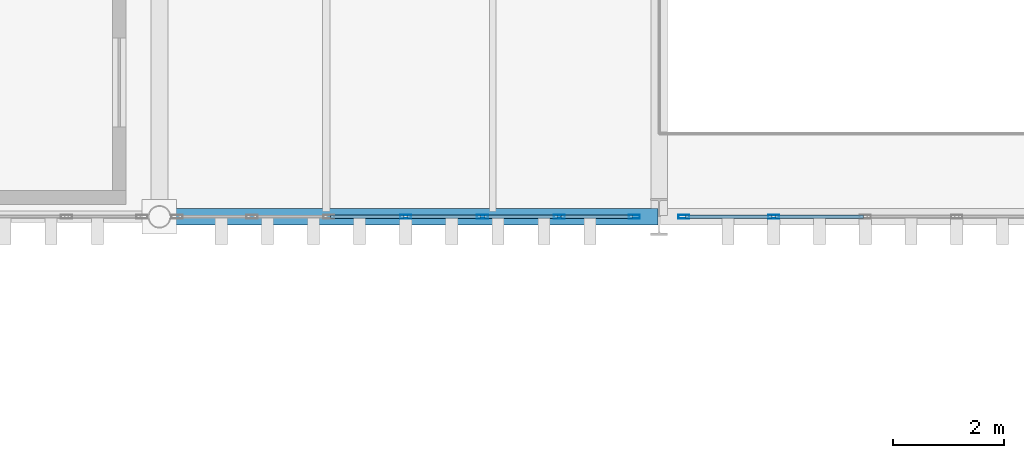
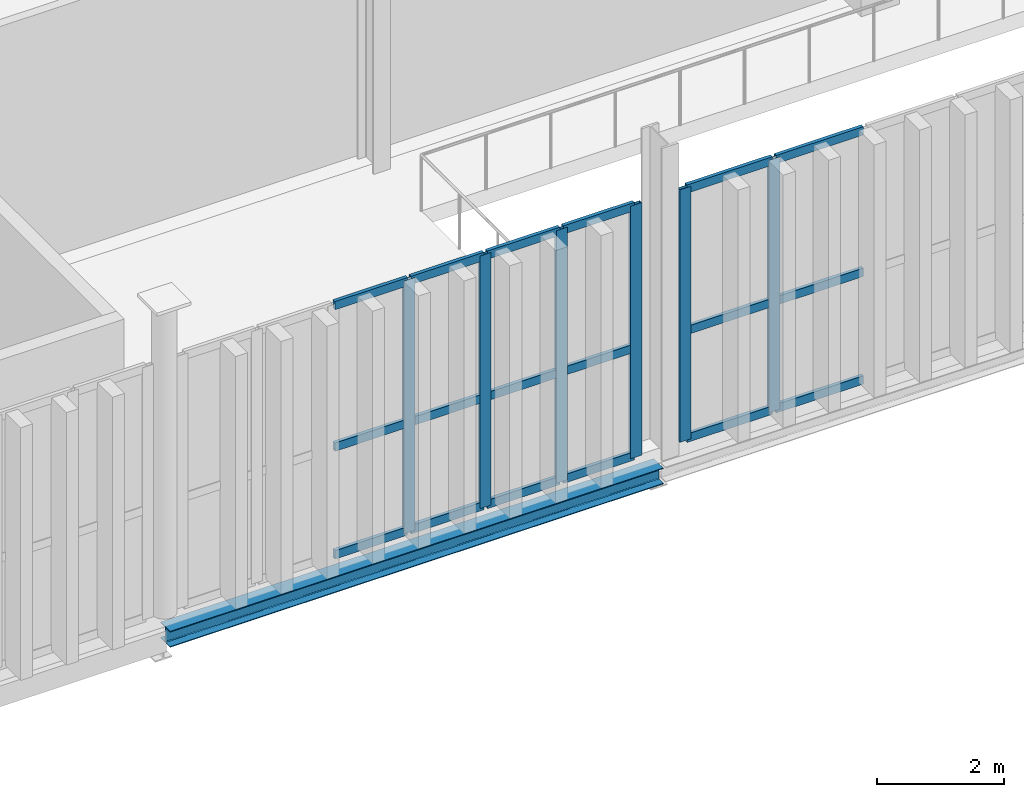
# One storey, part 79 of 237: 24 members, 1 beam, 2 elements without a shape of their own.
"""IFC4 building model written with IfcOpenShell, lengths in metres."""

from ifc_helpers import new_model, si_unit, direction, frame, origin, origin_2d, place, context, subcontext, project, spatial, hollow_rectangle, i_section, extrude, material, layer, layer_set, material_profile, profile_set, type_object, element, aggregate, save


model = new_model("IFC4")

# Units and contexts
model_context = context("Model", 3, precision=1e-05, world=origin(), true_north=direction((0.0, 1.0)))
body_context = subcontext(model_context, "Body", "Model", "MODEL_VIEW")
ifc_project = project(units=[si_unit("LENGTHUNIT", "METRE"), si_unit("AREAUNIT", "SQUARE_METRE"), si_unit("VOLUMEUNIT", "CUBIC_METRE"), si_unit("PLANEANGLEUNIT", "RADIAN"), si_unit("MASSUNIT", "GRAM", prefix="KILO")], contexts=[model_context])

# Site, building, storey
site_placement = place(None, origin())
site = spatial("IfcSite", under=ifc_project, at=site_placement, CompositionType="ELEMENT")
building_placement = place(site_placement, origin())
building = spatial("IfcBuilding", under=site, at=building_placement, Name="Barlavento Convention Centre", CompositionType="ELEMENT")
storey_placement = place(building_placement, frame((0.0, 0.0, 12.0)))
storey = spatial("IfcBuildingStorey", under=building, at=storey_placement, Name="L02", CompositionType="ELEMENT", Elevation=12.0)

# Curtain wall, members
ifc_material_1 = material(Name="Powder-coated aluminium and Low-E glass", Category="aluminium")
ifc_layer = layer(ifc_material_1, 0.195068359375)
ifc_layer_set = layer_set([ifc_layer], Name="ARC-CW-BALL-L02")
curtain_wall_type = type_object("IfcCurtainWallType", Name="ARC-CW-BALL-L02", PredefinedType="NOTDEFINED", material=ifc_layer_set)
curtain_wall_1_placement = place(storey_placement, origin())
curtain_wall_1 = element("IfcCurtainWall", 1, at=curtain_wall_1_placement, inside=storey, type_object=curtain_wall_type, Name="L02 unitised curtain wall CW07", PredefinedType="NOTDEFINED")
ifc_material_2 = material(Name="Powder-coated aluminium", Category="aluminium")
ifc_material_profile_1 = material_profile(ifc_material_2, hollow_rectangle(XDim=0.06494140625, YDim=0.199951171875, WallThickness=0.0048828125, at=origin_2d()), Name="AL-MULL 65x200x5")
ifc_profile_set_1 = profile_set([ifc_material_profile_1], Name="Powder-coated aluminium")
member_type_1 = type_object("IfcMemberType", Name="ARC-CWM-65X200", PredefinedType="MULLION", material=ifc_profile_set_1)
member_1_placement = place(storey_placement, frame((76.4345703125, 45.0, 0.0), z_axis=(0.0, 0.0, 1.0), x_axis=(0.0, 1.0, 0.0)))
member_1 = element("IfcMember", 2, at=member_1_placement, type_object=member_type_1, Name="CW07 mullion 4", PredefinedType="MULLION", context=body_context, shape_type="SweptSolid", body=[
    extrude(hollow_rectangle(XDim=0.06494140625, YDim=0.199951171875, WallThickness=0.0048828125, at=origin_2d()), origin(), (0.0, 0.0, 1.0), 4.85009765625),
])
member_2_placement = place(storey_placement, frame((77.818359375, 45.0, 0.0), z_axis=(0.0, 0.0, 1.0), x_axis=(0.0, 1.0, 0.0)))
member_2 = element("IfcMember", 3, at=member_2_placement, type_object=member_type_1, Name="CW07 mullion 5", PredefinedType="MULLION", context=body_context, shape_type="SweptSolid", body=[
    extrude(hollow_rectangle(XDim=0.06494140625, YDim=0.199951171875, WallThickness=0.0048828125, at=origin_2d()), origin(), (0.0, 0.0, 1.0), 4.85009765625),
])
member_3_placement = place(storey_placement, frame((79.2021484375, 45.0, 0.0), z_axis=(0.0, 0.0, 1.0), x_axis=(0.0, 1.0, 0.0)))
member_3 = element("IfcMember", 4, at=member_3_placement, type_object=member_type_1, Name="CW07 mullion 6", PredefinedType="MULLION", context=body_context, shape_type="SweptSolid", body=[
    extrude(hollow_rectangle(XDim=0.06494140625, YDim=0.199951171875, WallThickness=0.0048828125, at=origin_2d()), origin(), (0.0, 0.0, 1.0), 4.85009765625),
])
member_4_placement = place(storey_placement, frame((80.553466796875, 45.0, 0.0), z_axis=(0.0, 0.0, 1.0), x_axis=(0.0, 1.0, 0.0)))
member_4 = element("IfcMember", 5, at=member_4_placement, type_object=member_type_1, Name="CW07 mullion 7", PredefinedType="MULLION", context=body_context, shape_type="SweptSolid", body=[
    extrude(hollow_rectangle(XDim=0.06494140625, YDim=0.199951171875, WallThickness=0.0048828125, at=origin_2d()), origin(), (0.0, 0.0, 1.0), 4.85009765625),
])

curtain_wall_2_placement = place(storey_placement, origin())
curtain_wall_2 = element("IfcCurtainWall", 6, at=curtain_wall_2_placement, inside=storey, type_object=curtain_wall_type, Name="L02 unitised curtain wall CW07", PredefinedType="NOTDEFINED")
member_5_placement = place(storey_placement, frame((81.446533203125, 45.0, 0.0), z_axis=(0.0, 0.0, 1.0), x_axis=(0.0, 1.0, 0.0)))
member_5 = element("IfcMember", 7, at=member_5_placement, type_object=member_type_1, Name="CW07 mullion 1", PredefinedType="MULLION", context=body_context, shape_type="SweptSolid", body=[
    extrude(hollow_rectangle(XDim=0.06494140625, YDim=0.199951171875, WallThickness=0.0048828125, at=origin_2d()), origin(), (0.0, 0.0, 1.0), 4.85009765625),
])
member_6_placement = place(storey_placement, frame((83.062744140625, 45.0, 0.0), z_axis=(0.0, 0.0, 1.0), x_axis=(0.0, 1.0, 0.0)))
member_6 = element("IfcMember", 8, at=member_6_placement, type_object=member_type_1, Name="CW07 mullion 2", PredefinedType="MULLION", context=body_context, shape_type="SweptSolid", body=[
    extrude(hollow_rectangle(XDim=0.06494140625, YDim=0.199951171875, WallThickness=0.0048828125, at=origin_2d()), origin(), (0.0, 0.0, 1.0), 4.85009765625),
])

# Member
ifc_material_profile_2 = material_profile(ifc_material_2, hollow_rectangle(XDim=0.06494140625, YDim=0.159912109375, WallThickness=0.0048828125, at=origin_2d()), Name="AL-TRAN 65x160x5")
ifc_profile_set_2 = profile_set([ifc_material_profile_2], Name="Powder-coated aluminium")
member_type_2 = type_object("IfcMemberType", Name="ARC-CWT-65X160", PredefinedType="USERDEFINED", material=ifc_profile_set_2)
member_7_placement = place(storey_placement, frame((75.083251953125, 45.0, 0.032470703125), z_axis=(1.0, 0.0, 0.0), x_axis=(0.0, 1.0, 0.0)))
member_7 = element("IfcMember", 9, at=member_7_placement, type_object=member_type_2, Name="CW07 transom 3.1", ObjectType="TRANSOM", PredefinedType="USERDEFINED", context=body_context, shape_type="SweptSolid", body=[
    extrude(hollow_rectangle(XDim=0.06494140625, YDim=0.159912109375, WallThickness=0.0048828125, at=origin_2d()), origin(), (0.0, 0.0, 1.0), 1.31884765625),
])

member_8_placement = place(storey_placement, frame((75.083251953125, 45.0, 2.10009765625), z_axis=(1.0, 0.0, 0.0), x_axis=(0.0, 1.0, 0.0)))
member_8 = element("IfcMember", 10, at=member_8_placement, type_object=member_type_2, Name="CW07 transom 3.2", ObjectType="TRANSOM", PredefinedType="USERDEFINED", context=body_context, shape_type="SweptSolid", body=[
    extrude(hollow_rectangle(XDim=0.06494140625, YDim=0.159912109375, WallThickness=0.0048828125, at=origin_2d()), origin(), (0.0, 0.0, 1.0), 1.31884765625),
])

member_9_placement = place(storey_placement, frame((75.083251953125, 45.0, 4.8173828125), z_axis=(1.0, 0.0, 0.0), x_axis=(0.0, 1.0, 0.0)))
member_9 = element("IfcMember", 11, at=member_9_placement, type_object=member_type_2, Name="CW07 transom 3.3", ObjectType="TRANSOM", PredefinedType="USERDEFINED", context=body_context, shape_type="SweptSolid", body=[
    extrude(hollow_rectangle(XDim=0.06494140625, YDim=0.159912109375, WallThickness=0.0048828125, at=origin_2d()), origin(), (0.0, 0.0, 1.0), 1.31884765625),
])

member_10_placement = place(storey_placement, frame((76.467041015625, 45.0, 0.032470703125), z_axis=(1.0, 0.0, 0.0), x_axis=(0.0, 1.0, 0.0)))
member_10 = element("IfcMember", 12, at=member_10_placement, type_object=member_type_2, Name="CW07 transom 4.1", ObjectType="TRANSOM", PredefinedType="USERDEFINED", context=body_context, shape_type="SweptSolid", body=[
    extrude(hollow_rectangle(XDim=0.06494140625, YDim=0.159912109375, WallThickness=0.0048828125, at=origin_2d()), origin(), (0.0, 0.0, 1.0), 1.31884765625),
])

member_11_placement = place(storey_placement, frame((76.467041015625, 45.0, 2.10009765625), z_axis=(1.0, 0.0, 0.0), x_axis=(0.0, 1.0, 0.0)))
member_11 = element("IfcMember", 13, at=member_11_placement, type_object=member_type_2, Name="CW07 transom 4.2", ObjectType="TRANSOM", PredefinedType="USERDEFINED", context=body_context, shape_type="SweptSolid", body=[
    extrude(hollow_rectangle(XDim=0.06494140625, YDim=0.159912109375, WallThickness=0.0048828125, at=origin_2d()), origin(), (0.0, 0.0, 1.0), 1.31884765625),
])

member_12_placement = place(storey_placement, frame((76.467041015625, 45.0, 4.8173828125), z_axis=(1.0, 0.0, 0.0), x_axis=(0.0, 1.0, 0.0)))
member_12 = element("IfcMember", 14, at=member_12_placement, type_object=member_type_2, Name="CW07 transom 4.3", ObjectType="TRANSOM", PredefinedType="USERDEFINED", context=body_context, shape_type="SweptSolid", body=[
    extrude(hollow_rectangle(XDim=0.06494140625, YDim=0.159912109375, WallThickness=0.0048828125, at=origin_2d()), origin(), (0.0, 0.0, 1.0), 1.31884765625),
])

member_13_placement = place(storey_placement, frame((77.850830078125, 45.0, 0.032470703125), z_axis=(1.0, 0.0, 0.0), x_axis=(0.0, 1.0, 0.0)))
member_13 = element("IfcMember", 15, at=member_13_placement, type_object=member_type_2, Name="CW07 transom 5.1", ObjectType="TRANSOM", PredefinedType="USERDEFINED", context=body_context, shape_type="SweptSolid", body=[
    extrude(hollow_rectangle(XDim=0.06494140625, YDim=0.159912109375, WallThickness=0.0048828125, at=origin_2d()), origin(), (0.0, 0.0, 1.0), 1.31884765625),
])

member_14_placement = place(storey_placement, frame((77.850830078125, 45.0, 2.10009765625), z_axis=(1.0, 0.0, 0.0), x_axis=(0.0, 1.0, 0.0)))
member_14 = element("IfcMember", 16, at=member_14_placement, type_object=member_type_2, Name="CW07 transom 5.2", ObjectType="TRANSOM", PredefinedType="USERDEFINED", context=body_context, shape_type="SweptSolid", body=[
    extrude(hollow_rectangle(XDim=0.06494140625, YDim=0.159912109375, WallThickness=0.0048828125, at=origin_2d()), origin(), (0.0, 0.0, 1.0), 1.31884765625),
])

member_15_placement = place(storey_placement, frame((77.850830078125, 45.0, 4.8173828125), z_axis=(1.0, 0.0, 0.0), x_axis=(0.0, 1.0, 0.0)))
member_15 = element("IfcMember", 17, at=member_15_placement, type_object=member_type_2, Name="CW07 transom 5.3", ObjectType="TRANSOM", PredefinedType="USERDEFINED", context=body_context, shape_type="SweptSolid", body=[
    extrude(hollow_rectangle(XDim=0.06494140625, YDim=0.159912109375, WallThickness=0.0048828125, at=origin_2d()), origin(), (0.0, 0.0, 1.0), 1.31884765625),
])

member_16_placement = place(storey_placement, frame((79.234619140625, 45.0, 0.032470703125), z_axis=(1.0, 0.0, 0.0), x_axis=(0.0, 1.0, 0.0)))
member_16 = element("IfcMember", 18, at=member_16_placement, type_object=member_type_2, Name="CW07 transom 6.1", ObjectType="TRANSOM", PredefinedType="USERDEFINED", context=body_context, shape_type="SweptSolid", body=[
    extrude(hollow_rectangle(XDim=0.06494140625, YDim=0.159912109375, WallThickness=0.0048828125, at=origin_2d()), origin(), (0.0, 0.0, 1.0), 1.286376953125),
])

member_17_placement = place(storey_placement, frame((79.234619140625, 45.0, 2.10009765625), z_axis=(1.0, 0.0, 0.0), x_axis=(0.0, 1.0, 0.0)))
member_17 = element("IfcMember", 19, at=member_17_placement, type_object=member_type_2, Name="CW07 transom 6.2", ObjectType="TRANSOM", PredefinedType="USERDEFINED", context=body_context, shape_type="SweptSolid", body=[
    extrude(hollow_rectangle(XDim=0.06494140625, YDim=0.159912109375, WallThickness=0.0048828125, at=origin_2d()), origin(), (0.0, 0.0, 1.0), 1.286376953125),
])

member_18_placement = place(storey_placement, frame((79.234619140625, 45.0, 4.8173828125), z_axis=(1.0, 0.0, 0.0), x_axis=(0.0, 1.0, 0.0)))
member_18 = element("IfcMember", 20, at=member_18_placement, type_object=member_type_2, Name="CW07 transom 6.3", ObjectType="TRANSOM", PredefinedType="USERDEFINED", context=body_context, shape_type="SweptSolid", body=[
    extrude(hollow_rectangle(XDim=0.06494140625, YDim=0.159912109375, WallThickness=0.0048828125, at=origin_2d()), origin(), (0.0, 0.0, 1.0), 1.286376953125),
])

aggregate(curtain_wall_1, [member_1, member_2, member_3, member_4, member_7, member_8, member_9, member_10, member_11, member_12, member_13, member_14, member_15, member_16, member_17, member_18])

member_19_placement = place(storey_placement, frame((81.47900390625, 45.0, 0.032470703125), z_axis=(1.0, 0.0, 0.0), x_axis=(0.0, 1.0, 0.0)))
member_19 = element("IfcMember", 21, at=member_19_placement, type_object=member_type_2, Name="CW07 transom 1.1", ObjectType="TRANSOM", PredefinedType="USERDEFINED", context=body_context, shape_type="SweptSolid", body=[
    extrude(hollow_rectangle(XDim=0.06494140625, YDim=0.159912109375, WallThickness=0.0048828125, at=origin_2d()), origin(), (0.0, 0.0, 1.0), 1.55126953125),
])

member_20_placement = place(storey_placement, frame((81.47900390625, 45.0, 2.10009765625), z_axis=(1.0, 0.0, 0.0), x_axis=(0.0, 1.0, 0.0)))
member_20 = element("IfcMember", 22, at=member_20_placement, type_object=member_type_2, Name="CW07 transom 1.2", ObjectType="TRANSOM", PredefinedType="USERDEFINED", context=body_context, shape_type="SweptSolid", body=[
    extrude(hollow_rectangle(XDim=0.06494140625, YDim=0.159912109375, WallThickness=0.0048828125, at=origin_2d()), origin(), (0.0, 0.0, 1.0), 1.55126953125),
])

member_21_placement = place(storey_placement, frame((81.47900390625, 45.0, 4.8173828125), z_axis=(1.0, 0.0, 0.0), x_axis=(0.0, 1.0, 0.0)))
member_21 = element("IfcMember", 23, at=member_21_placement, type_object=member_type_2, Name="CW07 transom 1.3", ObjectType="TRANSOM", PredefinedType="USERDEFINED", context=body_context, shape_type="SweptSolid", body=[
    extrude(hollow_rectangle(XDim=0.06494140625, YDim=0.159912109375, WallThickness=0.0048828125, at=origin_2d()), origin(), (0.0, 0.0, 1.0), 1.55126953125),
])

member_22_placement = place(storey_placement, frame((83.09521484375, 45.0, 0.032470703125), z_axis=(1.0, 0.0, 0.0), x_axis=(0.0, 1.0, 0.0)))
member_22 = element("IfcMember", 24, at=member_22_placement, type_object=member_type_2, Name="CW07 transom 2.1", ObjectType="TRANSOM", PredefinedType="USERDEFINED", context=body_context, shape_type="SweptSolid", body=[
    extrude(hollow_rectangle(XDim=0.06494140625, YDim=0.159912109375, WallThickness=0.0048828125, at=origin_2d()), origin(), (0.0, 0.0, 1.0), 1.583984375),
])

member_23_placement = place(storey_placement, frame((83.09521484375, 45.0, 2.10009765625), z_axis=(1.0, 0.0, 0.0), x_axis=(0.0, 1.0, 0.0)))
member_23 = element("IfcMember", 25, at=member_23_placement, type_object=member_type_2, Name="CW07 transom 2.2", ObjectType="TRANSOM", PredefinedType="USERDEFINED", context=body_context, shape_type="SweptSolid", body=[
    extrude(hollow_rectangle(XDim=0.06494140625, YDim=0.159912109375, WallThickness=0.0048828125, at=origin_2d()), origin(), (0.0, 0.0, 1.0), 1.583984375),
])

member_24_placement = place(storey_placement, frame((83.09521484375, 45.0, 4.8173828125), z_axis=(1.0, 0.0, 0.0), x_axis=(0.0, 1.0, 0.0)))
member_24 = element("IfcMember", 26, at=member_24_placement, type_object=member_type_2, Name="CW07 transom 2.3", ObjectType="TRANSOM", PredefinedType="USERDEFINED", context=body_context, shape_type="SweptSolid", body=[
    extrude(hollow_rectangle(XDim=0.06494140625, YDim=0.159912109375, WallThickness=0.0048828125, at=origin_2d()), origin(), (0.0, 0.0, 1.0), 1.583984375),
])

aggregate(curtain_wall_2, [member_5, member_6, member_19, member_20, member_21, member_22, member_23, member_24])

# Beam
ifc_material_3 = material(Name="Steel S355", Category="steel")
ifc_material_profile_3 = material_profile(ifc_material_3, i_section(OverallWidth=0.300048828125, OverallDepth=0.31005859375, WebThickness=0.009033203125, FlangeThickness=0.015380859375, FilletRadius=0.027099609375, at=origin_2d()), Name="HEA 320")
ifc_profile_set_3 = profile_set([ifc_material_profile_3], Name="Steel S355")
beam_type = type_object("IfcBeamType", Name="STR-BM-SPN-HEA320", PredefinedType="SPANDREL", material=ifc_profile_set_3)
beam_placement = place(storey_placement, frame((72.02001953125, 45.0, -0.445068359375), z_axis=(1.0, 0.0, 0.0), x_axis=(0.0, 1.0, 0.0)))
element("IfcBeam", 27, at=beam_placement, inside=storey, type_object=beam_type, Name="L02 primary girder SP01", PredefinedType="SPANDREL", context=body_context, shape_type="SweptSolid", body=[
    extrude(i_section(OverallWidth=0.300048828125, OverallDepth=0.31005859375, WebThickness=0.009033203125, FlangeThickness=0.015380859375, FilletRadius=0.027099609375, at=origin_2d()), origin(), (0.0, 0.0, 1.0), 8.9599609375),
])

save(model, "model.ifc")
